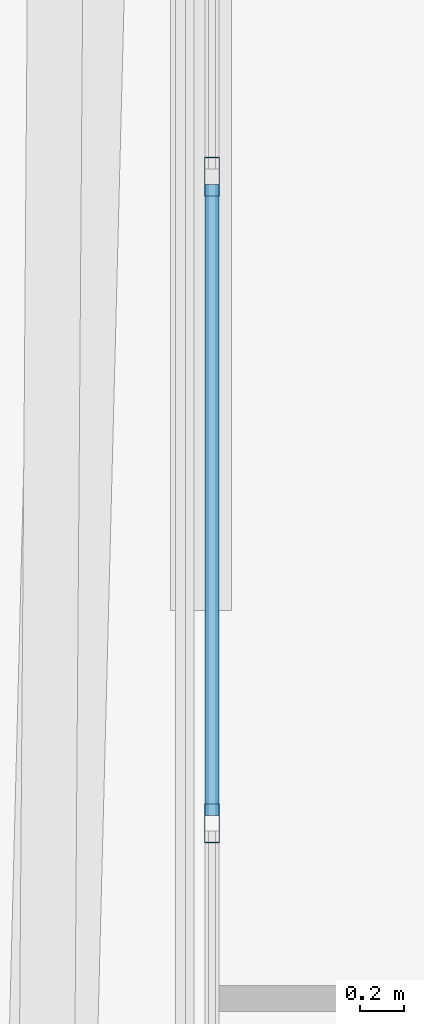
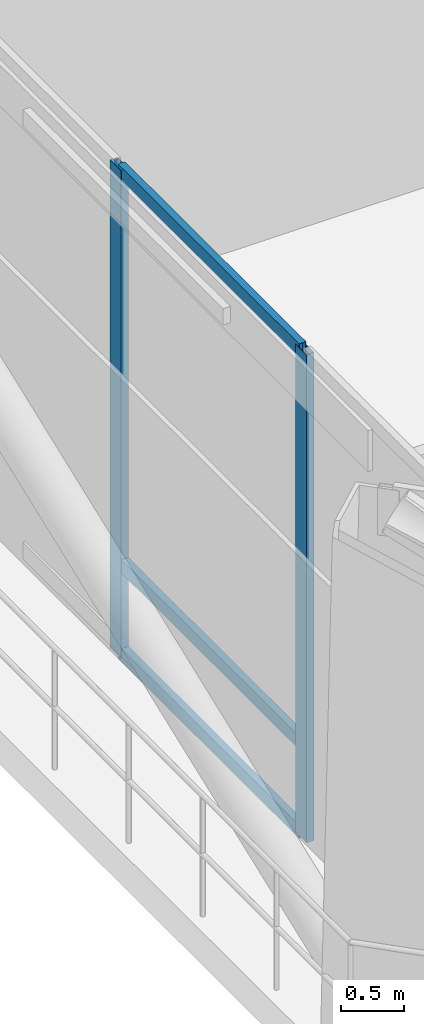
# One storey, part 5 of 34: 5 members, 1 element without a shape of its own.
"""IFC4 building model written with IfcOpenShell, lengths in metres."""

from ifc_helpers import new_model, si_unit, direction, frame, origin, origin_2d, place, context, subcontext, project, spatial, hollow_rectangle, extrude, material, layer, layer_set, material_profile, profile_set, type_object, element, aggregate, save


model = new_model("IFC4")

# Units and contexts
model_context = context("Model", 3, precision=1e-05, world=origin(), true_north=direction((0.0, 1.0)))
body_context = subcontext(model_context, "Body", "Model", "MODEL_VIEW")
ifc_project = project(units=[si_unit("LENGTHUNIT", "METRE"), si_unit("AREAUNIT", "SQUARE_METRE"), si_unit("VOLUMEUNIT", "CUBIC_METRE"), si_unit("PLANEANGLEUNIT", "RADIAN"), si_unit("MASSUNIT", "GRAM", prefix="KILO")], contexts=[model_context])

# Site, building, storey
site_placement = place(None, origin())
site = spatial("IfcSite", under=ifc_project, at=site_placement, CompositionType="ELEMENT")
building_placement = place(site_placement, origin())
building = spatial("IfcBuilding", under=site, at=building_placement, Name="Caelvoria Tower", CompositionType="ELEMENT")
storey_placement = place(building_placement, frame((0.0, 0.0, 172.0)))
storey = spatial("IfcBuildingStorey", under=building, at=storey_placement, Name="L45", CompositionType="ELEMENT", Elevation=172.0)

# Curtain wall, members
ifc_material_1 = material(Name="Anodised Bronze Aluminium and Low-E Glass", Category="aluminium")
ifc_layer = layer(ifc_material_1, 0.2099609375, Name="Anodised Bronze Aluminium and Low-E Glass")
ifc_layer_set = layer_set([ifc_layer], Name="CW System 3 Sky Lobby Double-Height Acoustic Facade - Anodised Bronze Aluminium and Low-E Glass")
curtain_wall_type = type_object("IfcCurtainWallType", Name="CW System 3 Sky Lobby Double-Height Acoustic Facade", PredefinedType="NOTDEFINED", material=ifc_layer_set)
curtain_wall_placement = place(storey_placement, origin())
curtain_wall = element("IfcCurtainWall", 1, at=curtain_wall_placement, inside=storey, type_object=curtain_wall_type, Name="CW-03 Curtain Wall L45-E6", PredefinedType="NOTDEFINED")
ifc_material_2 = material(Name="Anodised Bronze Architectural Aluminium", Category="aluminium")
ifc_material_profile_1 = material_profile(ifc_material_2, hollow_rectangle(XDim=0.070068359375, YDim=0.179931640625, WallThickness=0.00390625, at=origin_2d()), Name="Anodised Bronze Architectural Aluminium")
ifc_profile_set_1 = profile_set([ifc_material_profile_1], Name="CW_MULL_70X180 - Anodised Bronze Architectural Aluminium")
member_type_1 = type_object("IfcMemberType", Name="Curtain Wall Mullion 70x180 Bronze Aluminium", PredefinedType="MULLION", material=ifc_profile_set_1)
member_1_placement = place(storey_placement, frame((23.360107421875, 23.10791015625, 0.0), z_axis=(0.0, 0.0, 1.0), x_axis=(1.0, 0.0, 0.0)))
member_1 = element("IfcMember", 2, at=member_1_placement, type_object=member_type_1, Name="CW-03 mullion 9", PredefinedType="MULLION", context=body_context, shape_type="SweptSolid", body=[
    extrude(hollow_rectangle(XDim=0.070068359375, YDim=0.179931640625, WallThickness=0.00390625, at=origin_2d()), origin(), (0.0, 0.0, 1.0), 4.760009765625),
])
member_2_placement = place(storey_placement, frame((23.360107421875, 20.14404296875, 0.0), z_axis=(0.0, 0.0, 1.0), x_axis=(1.0, 0.0, 0.0)))
member_2 = element("IfcMember", 3, at=member_2_placement, type_object=member_type_1, Name="CW-03 mullion 10", PredefinedType="MULLION", context=body_context, shape_type="SweptSolid", body=[
    extrude(hollow_rectangle(XDim=0.070068359375, YDim=0.179931640625, WallThickness=0.00390625, at=origin_2d()), origin(), (0.0, 0.0, 1.0), 4.760009765625),
])
ifc_material_profile_2 = material_profile(ifc_material_2, hollow_rectangle(XDim=0.06494140625, YDim=0.1298828125, WallThickness=0.00341796875, at=origin_2d()), Name="Anodised Bronze Architectural Aluminium")
ifc_profile_set_2 = profile_set([ifc_material_profile_2], Name="CW_TRAN_65X130 - Anodised Bronze Architectural Aluminium")
member_type_2 = type_object("IfcMemberType", Name="Curtain Wall Transom 65x130 Bronze Aluminium", PredefinedType="USERDEFINED", material=ifc_profile_set_2)
member_3_placement = place(storey_placement, frame((23.360107421875, 23.072998046875, 0.032470703125), z_axis=(0.0, -1.0, 0.0), x_axis=(1.0, 0.0, 0.0)))
member_3 = element("IfcMember", 4, at=member_3_placement, type_object=member_type_2, Name="CW-03 transom 9.1", ObjectType="TRANSOM", PredefinedType="USERDEFINED", context=body_context, shape_type="SweptSolid", body=[
    extrude(hollow_rectangle(XDim=0.06494140625, YDim=0.1298828125, WallThickness=0.00341796875, at=origin_2d()), origin(), (0.0, 0.0, 1.0), 2.89404296875),
])
member_4_placement = place(storey_placement, frame((23.360107421875, 23.072998046875, 0.89990234375), z_axis=(0.0, -1.0, 0.0), x_axis=(1.0, 0.0, 0.0)))
member_4 = element("IfcMember", 5, at=member_4_placement, type_object=member_type_2, Name="CW-03 transom 9.2", ObjectType="TRANSOM", PredefinedType="USERDEFINED", context=body_context, shape_type="SweptSolid", body=[
    extrude(hollow_rectangle(XDim=0.06494140625, YDim=0.1298828125, WallThickness=0.00341796875, at=origin_2d()), origin(), (0.0, 0.0, 1.0), 2.89404296875),
])
member_5_placement = place(storey_placement, frame((23.360107421875, 23.072998046875, 4.7275390625), z_axis=(0.0, -1.0, 0.0), x_axis=(1.0, 0.0, 0.0)))
member_5 = element("IfcMember", 6, at=member_5_placement, type_object=member_type_2, Name="CW-03 transom 9.3", ObjectType="TRANSOM", PredefinedType="USERDEFINED", context=body_context, shape_type="SweptSolid", body=[
    extrude(hollow_rectangle(XDim=0.06494140625, YDim=0.1298828125, WallThickness=0.00341796875, at=origin_2d()), origin(), (0.0, 0.0, 1.0), 2.89404296875),
])
aggregate(curtain_wall, [member_1, member_2, member_3, member_4, member_5])

save(model, "model.ifc")
